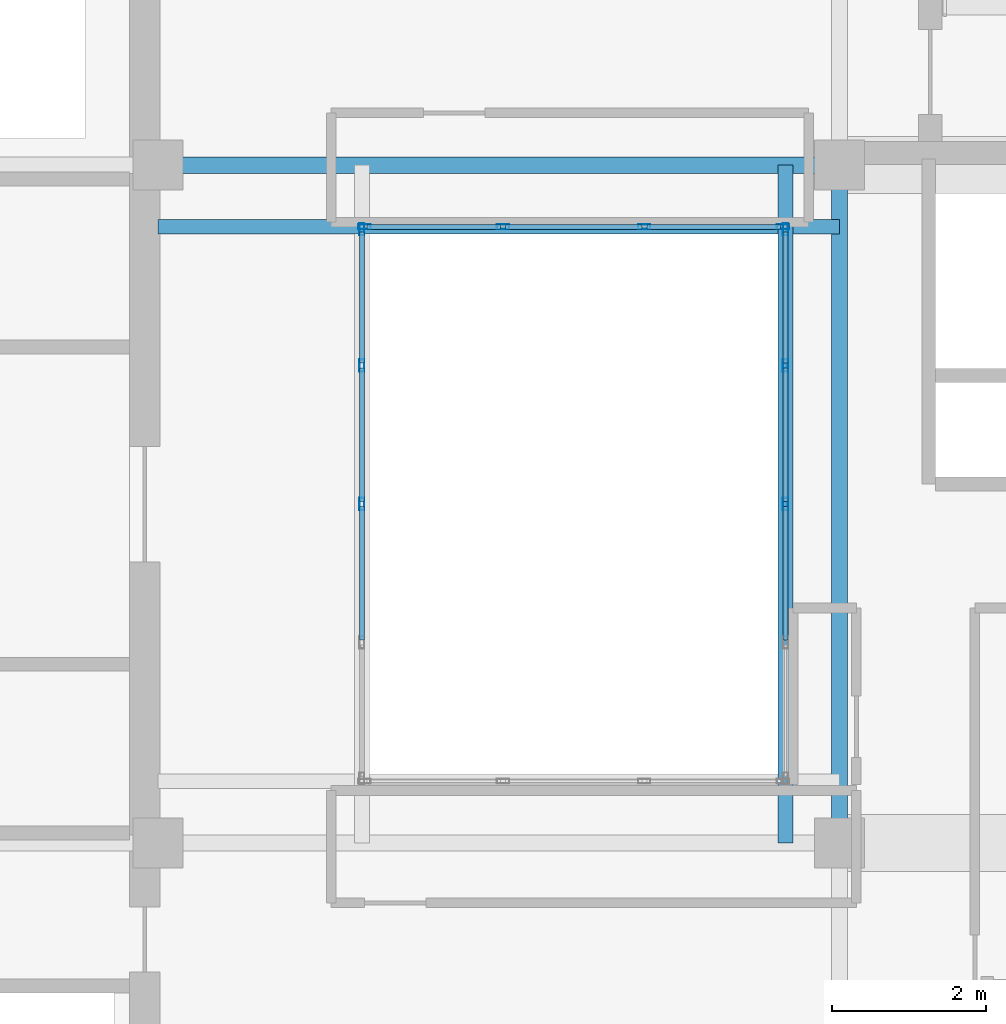
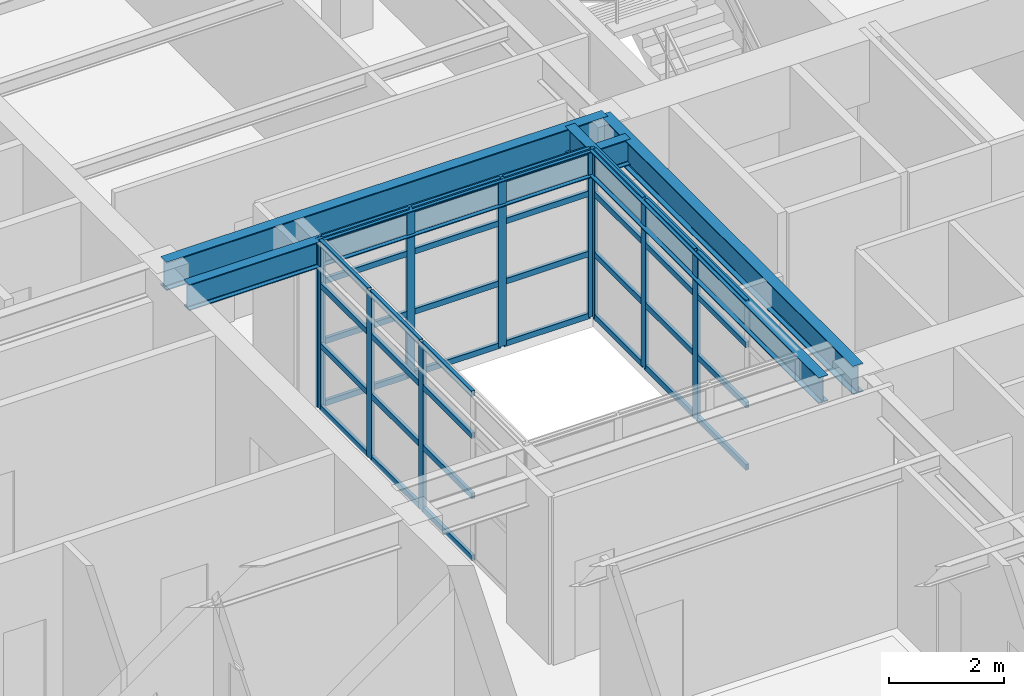
# One storey, part 4 of 11: 46 members, 4 beams, 3 elements without a shape of their own.
"""IFC4 building model written with IfcOpenShell, lengths in metres."""

from ifc_helpers import new_model, si_unit, direction, frame, origin, origin_2d, place, context, subcontext, project, spatial, hollow_rectangle, i_section, extrude, material, layer, layer_set, material_profile, profile_set, type_object, element, aggregate, save


model = new_model("IFC4")

# Units and contexts
model_context = context("Model", 3, precision=1e-05, world=origin(), true_north=direction((0.0, 1.0)))
body_context = subcontext(model_context, "Body", "Model", "MODEL_VIEW")
ifc_project = project(units=[si_unit("LENGTHUNIT", "METRE"), si_unit("AREAUNIT", "SQUARE_METRE"), si_unit("VOLUMEUNIT", "CUBIC_METRE"), si_unit("PLANEANGLEUNIT", "RADIAN"), si_unit("MASSUNIT", "GRAM", prefix="KILO")], contexts=[model_context])

# Site, building, storey
site_placement = place(None, origin())
site = spatial("IfcSite", under=ifc_project, at=site_placement, CompositionType="ELEMENT")
building_placement = place(site_placement, origin())
building = spatial("IfcBuilding", under=site, at=building_placement, Name="Kundavana Baori Tower", CompositionType="ELEMENT")
storey_placement = place(building_placement, frame((0.0, 0.0, 346.699951171875)))
storey = spatial("IfcBuildingStorey", under=building, at=storey_placement, Name="L86", CompositionType="ELEMENT", Elevation=346.699951171875)

# Beams
ifc_material_1 = material(Name="Structural Steel S355JR", Category="steel")
ifc_material_profile_1 = material_profile(ifc_material_1, i_section(OverallWidth=0.18994140625, OverallDepth=0.550048828125, WebThickness=0.01123046875, FlangeThickness=0.019287109375, FilletRadius=0.01806640625, at=origin_2d()), Name="ISMB 550")
ifc_profile_set_1 = profile_set([ifc_material_profile_1], Name="Structural Steel S355JR")
beam_type_1 = type_object("IfcBeamType", Name="BM-ST-550", PredefinedType="BEAM", material=ifc_profile_set_1)
beam_1_placement = place(storey_placement, frame((33.10009765625, 24.199951171875, 3.275146484375), z_axis=(0.0, 1.0, 0.0), x_axis=(-1.0, 0.0, 0.0)))
element("IfcBeam", 1, at=beam_1_placement, inside=storey, type_object=beam_type_1, Name="L86 Atrium East Edge Beam", PredefinedType="BEAM", context=body_context, shape_type="SweptSolid", body=[
    extrude(i_section(OverallWidth=0.18994140625, OverallDepth=0.550048828125, WebThickness=0.01123046875, FlangeThickness=0.019287109375, FilletRadius=0.01806640625, at=origin_2d()), origin(), (0.0, 0.0, 1.0), 8.800048828125),
])
beam_2_placement = place(storey_placement, frame((24.949951171875, 32.199951171875, 3.275146484375), z_axis=(1.0, 0.0, 0.0), x_axis=(0.0, 1.0, 0.0)))
element("IfcBeam", 2, at=beam_2_placement, inside=storey, type_object=beam_type_1, Name="L86 Atrium North Edge Beam", PredefinedType="BEAM", context=body_context, shape_type="SweptSolid", body=[
    extrude(i_section(OverallWidth=0.18994140625, OverallDepth=0.550048828125, WebThickness=0.01123046875, FlangeThickness=0.019287109375, FilletRadius=0.01806640625, at=origin_2d()), origin(), (0.0, 0.0, 1.0), 8.85009765625),
])
ifc_material_2 = material(Name="Structural Steel S355JR", Category="steel")
ifc_material_profile_2 = material_profile(ifc_material_2, i_section(OverallWidth=0.2099609375, OverallDepth=0.60009765625, WebThickness=0.011962890625, FlangeThickness=0.020751953125, FilletRadius=0.02001953125, at=origin_2d()), Name="ISMB 600")
ifc_profile_set_2 = profile_set([ifc_material_profile_2], Name="Structural Steel S355JR")
beam_type_2 = type_object("IfcBeamType", Name="BM-ST-600", PredefinedType="BEAM", material=ifc_profile_set_2)
beam_3_placement = place(storey_placement, frame((24.949951171875, 33.0, 3.25), z_axis=(1.0, 0.0, 0.0), x_axis=(0.0, 1.0, 0.0)))
element("IfcBeam", 3, at=beam_3_placement, inside=storey, type_object=beam_type_2, Name="L86 Primary Grid Girder GX-3-2", PredefinedType="BEAM", context=body_context, shape_type="SweptSolid", body=[
    extrude(i_section(OverallWidth=0.2099609375, OverallDepth=0.60009765625, WebThickness=0.011962890625, FlangeThickness=0.020751953125, FilletRadius=0.02001953125, at=origin_2d()), origin(), (0.0, 0.0, 1.0), 8.85009765625),
])
beam_4_placement = place(storey_placement, frame((33.800048828125, 24.199951171875, 3.25), z_axis=(0.0, 1.0, 0.0), x_axis=(-1.0, 0.0, 0.0)))
element("IfcBeam", 4, at=beam_4_placement, inside=storey, type_object=beam_type_2, Name="L86 Primary Grid Girder GY-3-2", PredefinedType="BEAM", context=body_context, shape_type="SweptSolid", body=[
    extrude(i_section(OverallWidth=0.2099609375, OverallDepth=0.60009765625, WebThickness=0.011962890625, FlangeThickness=0.020751953125, FilletRadius=0.02001953125, at=origin_2d()), origin(), (0.0, 0.0, 1.0), 8.800048828125),
])

# Curtain wall, members
ifc_material_3 = material(Name="Thermally Broken Anodised Aluminium Framing", Category="aluminium")
ifc_layer = layer(ifc_material_3, 0.235107421875, Name="CW-SYS-6")
ifc_layer_set = layer_set([ifc_layer], Name="Thermally Broken Anodised Aluminium Framing")
curtain_wall_type = type_object("IfcCurtainWallType", Name="CW-SYS-6", PredefinedType="NOTDEFINED", material=ifc_layer_set)
curtain_wall_1_placement = place(storey_placement, origin())
curtain_wall_1 = element("IfcCurtainWall", 5, at=curtain_wall_1_placement, inside=storey, type_object=curtain_wall_type, Name="L86 Atrium Glazed Curtain Wall E", PredefinedType="NOTDEFINED")
ifc_material_4 = material(Name="Thermally Broken Anodised Aluminium Framing", Category="aluminium")
ifc_material_profile_3 = material_profile(ifc_material_4, hollow_rectangle(XDim=0.06494140625, YDim=0.159912109375, WallThickness=0.00390625, at=origin_2d()), Name="CW-MULL-160")
ifc_profile_set_3 = profile_set([ifc_material_profile_3], Name="Thermally Broken Anodised Aluminium Framing")
member_type_1 = type_object("IfcMemberType", Name="CW-MULL-160", PredefinedType="MULLION", material=ifc_profile_set_3)
member_1_placement = place(storey_placement, frame((33.10009765625, 28.60009765625, 0.0), z_axis=(0.0, 0.0, 1.0), x_axis=(-1.0, 0.0, 0.0)))
member_1 = element("IfcMember", 6, at=member_1_placement, type_object=member_type_1, Name="CW6 mullion 3", PredefinedType="MULLION", context=body_context, shape_type="SweptSolid", body=[
    extrude(hollow_rectangle(XDim=0.06494140625, YDim=0.159912109375, WallThickness=0.00390625, at=origin_2d()), origin(), (0.0, 0.0, 1.0), 3.550048828125),
])
member_2_placement = place(storey_placement, frame((33.10009765625, 30.39990234375, 0.0), z_axis=(0.0, 0.0, 1.0), x_axis=(-1.0, 0.0, 0.0)))
member_2 = element("IfcMember", 7, at=member_2_placement, type_object=member_type_1, Name="CW6 mullion 4", PredefinedType="MULLION", context=body_context, shape_type="SweptSolid", body=[
    extrude(hollow_rectangle(XDim=0.06494140625, YDim=0.159912109375, WallThickness=0.00390625, at=origin_2d()), origin(), (0.0, 0.0, 1.0), 3.550048828125),
])
member_3_placement = place(storey_placement, frame((33.10009765625, 32.16748046875, 0.0), z_axis=(0.0, 0.0, 1.0), x_axis=(-1.0, 0.0, 0.0)))
member_3 = element("IfcMember", 8, at=member_3_placement, type_object=member_type_1, Name="CW6 mullion 5", PredefinedType="MULLION", context=body_context, shape_type="SweptSolid", body=[
    extrude(hollow_rectangle(XDim=0.06494140625, YDim=0.159912109375, WallThickness=0.00390625, at=origin_2d()), origin(), (0.0, 0.0, 1.0), 3.550048828125),
])

curtain_wall_2_placement = place(storey_placement, origin())
curtain_wall_2 = element("IfcCurtainWall", 9, at=curtain_wall_2_placement, inside=storey, type_object=curtain_wall_type, Name="L86 Atrium Glazed Curtain Wall N", PredefinedType="NOTDEFINED")
member_4_placement = place(storey_placement, frame((33.0673828125, 32.199951171875, 0.0), z_axis=(0.0, 0.0, 1.0), x_axis=(0.0, -1.0, 0.0)))
member_4 = element("IfcMember", 10, at=member_4_placement, type_object=member_type_1, Name="CW6 mullion 1", PredefinedType="MULLION", context=body_context, shape_type="SweptSolid", body=[
    extrude(hollow_rectangle(XDim=0.06494140625, YDim=0.159912109375, WallThickness=0.00390625, at=origin_2d()), origin(), (0.0, 0.0, 1.0), 3.550048828125),
])
member_5_placement = place(storey_placement, frame((31.2666015625, 32.199951171875, 0.0), z_axis=(0.0, 0.0, 1.0), x_axis=(0.0, -1.0, 0.0)))
member_5 = element("IfcMember", 11, at=member_5_placement, type_object=member_type_1, Name="CW6 mullion 2", PredefinedType="MULLION", context=body_context, shape_type="SweptSolid", body=[
    extrude(hollow_rectangle(XDim=0.06494140625, YDim=0.159912109375, WallThickness=0.00390625, at=origin_2d()), origin(), (0.0, 0.0, 1.0), 3.550048828125),
])
member_6_placement = place(storey_placement, frame((29.433349609375, 32.199951171875, 0.0), z_axis=(0.0, 0.0, 1.0), x_axis=(0.0, -1.0, 0.0)))
member_6 = element("IfcMember", 12, at=member_6_placement, type_object=member_type_1, Name="CW6 mullion 3", PredefinedType="MULLION", context=body_context, shape_type="SweptSolid", body=[
    extrude(hollow_rectangle(XDim=0.06494140625, YDim=0.159912109375, WallThickness=0.00390625, at=origin_2d()), origin(), (0.0, 0.0, 1.0), 3.550048828125),
])
member_7_placement = place(storey_placement, frame((27.632568359375, 32.199951171875, 0.0), z_axis=(0.0, 0.0, 1.0), x_axis=(0.0, -1.0, 0.0)))
member_7 = element("IfcMember", 13, at=member_7_placement, type_object=member_type_1, Name="CW6 mullion 4", PredefinedType="MULLION", context=body_context, shape_type="SweptSolid", body=[
    extrude(hollow_rectangle(XDim=0.06494140625, YDim=0.159912109375, WallThickness=0.00390625, at=origin_2d()), origin(), (0.0, 0.0, 1.0), 3.550048828125),
])

curtain_wall_3_placement = place(storey_placement, origin())
curtain_wall_3 = element("IfcCurtainWall", 14, at=curtain_wall_3_placement, inside=storey, type_object=curtain_wall_type, Name="L86 Atrium Glazed Curtain Wall W", PredefinedType="NOTDEFINED")
member_8_placement = place(storey_placement, frame((27.60009765625, 32.16748046875, 0.0), z_axis=(0.0, 0.0, 1.0), x_axis=(1.0, 0.0, 0.0)))
member_8 = element("IfcMember", 15, at=member_8_placement, type_object=member_type_1, Name="CW6 mullion 1", PredefinedType="MULLION", context=body_context, shape_type="SweptSolid", body=[
    extrude(hollow_rectangle(XDim=0.06494140625, YDim=0.159912109375, WallThickness=0.00390625, at=origin_2d()), origin(), (0.0, 0.0, 1.0), 3.550048828125),
])
member_9_placement = place(storey_placement, frame((27.60009765625, 30.39990234375, 0.0), z_axis=(0.0, 0.0, 1.0), x_axis=(1.0, 0.0, 0.0)))
member_9 = element("IfcMember", 16, at=member_9_placement, type_object=member_type_1, Name="CW6 mullion 2", PredefinedType="MULLION", context=body_context, shape_type="SweptSolid", body=[
    extrude(hollow_rectangle(XDim=0.06494140625, YDim=0.159912109375, WallThickness=0.00390625, at=origin_2d()), origin(), (0.0, 0.0, 1.0), 3.550048828125),
])
member_10_placement = place(storey_placement, frame((27.60009765625, 28.60009765625, 0.0), z_axis=(0.0, 0.0, 1.0), x_axis=(1.0, 0.0, 0.0)))
member_10 = element("IfcMember", 17, at=member_10_placement, type_object=member_type_1, Name="CW6 mullion 3", PredefinedType="MULLION", context=body_context, shape_type="SweptSolid", body=[
    extrude(hollow_rectangle(XDim=0.06494140625, YDim=0.159912109375, WallThickness=0.00390625, at=origin_2d()), origin(), (0.0, 0.0, 1.0), 3.550048828125),
])

# Member
ifc_material_5 = material(Name="Thermally Broken Anodised Aluminium Framing", Category="aluminium")
ifc_material_profile_4 = material_profile(ifc_material_5, hollow_rectangle(XDim=0.06494140625, YDim=0.1201171875, WallThickness=0.00390625, at=origin_2d()), Name="CW-TRAN-120")
ifc_profile_set_4 = profile_set([ifc_material_profile_4], Name="Thermally Broken Anodised Aluminium Framing")
member_type_2 = type_object("IfcMemberType", Name="CW-TRAN-120", PredefinedType="USERDEFINED", material=ifc_profile_set_4)
member_11_placement = place(storey_placement, frame((33.10009765625, 26.83251953125, 0.032470703125), z_axis=(0.0, 1.0, 0.0), x_axis=(-1.0, 0.0, 0.0)))
member_11 = element("IfcMember", 18, at=member_11_placement, type_object=member_type_2, Name="CW6 transom 2.1", ObjectType="TRANSOM", PredefinedType="USERDEFINED", context=body_context, shape_type="SweptSolid", body=[
    extrude(hollow_rectangle(XDim=0.06494140625, YDim=0.1201171875, WallThickness=0.00390625, at=origin_2d()), origin(), (0.0, 0.0, 1.0), 1.73486328125),
])

member_12_placement = place(storey_placement, frame((33.10009765625, 26.83251953125, 1.34912109375), z_axis=(0.0, 1.0, 0.0), x_axis=(-1.0, 0.0, 0.0)))
member_12 = element("IfcMember", 19, at=member_12_placement, type_object=member_type_2, Name="CW6 transom 2.2", ObjectType="TRANSOM", PredefinedType="USERDEFINED", context=body_context, shape_type="SweptSolid", body=[
    extrude(hollow_rectangle(XDim=0.06494140625, YDim=0.1201171875, WallThickness=0.00390625, at=origin_2d()), origin(), (0.0, 0.0, 1.0), 1.73486328125),
])

member_13_placement = place(storey_placement, frame((33.10009765625, 26.83251953125, 2.626953125), z_axis=(0.0, 1.0, 0.0), x_axis=(-1.0, 0.0, 0.0)))
member_13 = element("IfcMember", 20, at=member_13_placement, type_object=member_type_2, Name="CW6 transom 2.3", ObjectType="TRANSOM", PredefinedType="USERDEFINED", context=body_context, shape_type="SweptSolid", body=[
    extrude(hollow_rectangle(XDim=0.06494140625, YDim=0.1201171875, WallThickness=0.00390625, at=origin_2d()), origin(), (0.0, 0.0, 1.0), 1.73486328125),
])

member_14_placement = place(storey_placement, frame((33.10009765625, 26.83251953125, 3.517578125), z_axis=(0.0, 1.0, 0.0), x_axis=(-1.0, 0.0, 0.0)))
member_14 = element("IfcMember", 21, at=member_14_placement, type_object=member_type_2, Name="CW6 transom 2.4", ObjectType="TRANSOM", PredefinedType="USERDEFINED", context=body_context, shape_type="SweptSolid", body=[
    extrude(hollow_rectangle(XDim=0.06494140625, YDim=0.1201171875, WallThickness=0.00390625, at=origin_2d()), origin(), (0.0, 0.0, 1.0), 1.73486328125),
])

member_15_placement = place(storey_placement, frame((33.10009765625, 28.632568359375, 0.032470703125), z_axis=(0.0, 1.0, 0.0), x_axis=(-1.0, 0.0, 0.0)))
member_15 = element("IfcMember", 22, at=member_15_placement, type_object=member_type_2, Name="CW6 transom 3.1", ObjectType="TRANSOM", PredefinedType="USERDEFINED", context=body_context, shape_type="SweptSolid", body=[
    extrude(hollow_rectangle(XDim=0.06494140625, YDim=0.1201171875, WallThickness=0.00390625, at=origin_2d()), origin(), (0.0, 0.0, 1.0), 1.73486328125),
])

member_16_placement = place(storey_placement, frame((33.10009765625, 28.632568359375, 1.34912109375), z_axis=(0.0, 1.0, 0.0), x_axis=(-1.0, 0.0, 0.0)))
member_16 = element("IfcMember", 23, at=member_16_placement, type_object=member_type_2, Name="CW6 transom 3.2", ObjectType="TRANSOM", PredefinedType="USERDEFINED", context=body_context, shape_type="SweptSolid", body=[
    extrude(hollow_rectangle(XDim=0.06494140625, YDim=0.1201171875, WallThickness=0.00390625, at=origin_2d()), origin(), (0.0, 0.0, 1.0), 1.73486328125),
])

member_17_placement = place(storey_placement, frame((33.10009765625, 28.632568359375, 2.626953125), z_axis=(0.0, 1.0, 0.0), x_axis=(-1.0, 0.0, 0.0)))
member_17 = element("IfcMember", 24, at=member_17_placement, type_object=member_type_2, Name="CW6 transom 3.3", ObjectType="TRANSOM", PredefinedType="USERDEFINED", context=body_context, shape_type="SweptSolid", body=[
    extrude(hollow_rectangle(XDim=0.06494140625, YDim=0.1201171875, WallThickness=0.00390625, at=origin_2d()), origin(), (0.0, 0.0, 1.0), 1.73486328125),
])

member_18_placement = place(storey_placement, frame((33.10009765625, 28.632568359375, 3.517578125), z_axis=(0.0, 1.0, 0.0), x_axis=(-1.0, 0.0, 0.0)))
member_18 = element("IfcMember", 25, at=member_18_placement, type_object=member_type_2, Name="CW6 transom 3.4", ObjectType="TRANSOM", PredefinedType="USERDEFINED", context=body_context, shape_type="SweptSolid", body=[
    extrude(hollow_rectangle(XDim=0.06494140625, YDim=0.1201171875, WallThickness=0.00390625, at=origin_2d()), origin(), (0.0, 0.0, 1.0), 1.73486328125),
])

member_19_placement = place(storey_placement, frame((33.10009765625, 30.4326171875, 0.032470703125), z_axis=(0.0, 1.0, 0.0), x_axis=(-1.0, 0.0, 0.0)))
member_19 = element("IfcMember", 26, at=member_19_placement, type_object=member_type_2, Name="CW6 transom 4.1", ObjectType="TRANSOM", PredefinedType="USERDEFINED", context=body_context, shape_type="SweptSolid", body=[
    extrude(hollow_rectangle(XDim=0.06494140625, YDim=0.1201171875, WallThickness=0.00390625, at=origin_2d()), origin(), (0.0, 0.0, 1.0), 1.702392578125),
])

member_20_placement = place(storey_placement, frame((33.10009765625, 30.4326171875, 1.34912109375), z_axis=(0.0, 1.0, 0.0), x_axis=(-1.0, 0.0, 0.0)))
member_20 = element("IfcMember", 27, at=member_20_placement, type_object=member_type_2, Name="CW6 transom 4.2", ObjectType="TRANSOM", PredefinedType="USERDEFINED", context=body_context, shape_type="SweptSolid", body=[
    extrude(hollow_rectangle(XDim=0.06494140625, YDim=0.1201171875, WallThickness=0.00390625, at=origin_2d()), origin(), (0.0, 0.0, 1.0), 1.702392578125),
])

member_21_placement = place(storey_placement, frame((33.10009765625, 30.4326171875, 2.626953125), z_axis=(0.0, 1.0, 0.0), x_axis=(-1.0, 0.0, 0.0)))
member_21 = element("IfcMember", 28, at=member_21_placement, type_object=member_type_2, Name="CW6 transom 4.3", ObjectType="TRANSOM", PredefinedType="USERDEFINED", context=body_context, shape_type="SweptSolid", body=[
    extrude(hollow_rectangle(XDim=0.06494140625, YDim=0.1201171875, WallThickness=0.00390625, at=origin_2d()), origin(), (0.0, 0.0, 1.0), 1.702392578125),
])

member_22_placement = place(storey_placement, frame((33.10009765625, 30.4326171875, 3.517578125), z_axis=(0.0, 1.0, 0.0), x_axis=(-1.0, 0.0, 0.0)))
member_22 = element("IfcMember", 29, at=member_22_placement, type_object=member_type_2, Name="CW6 transom 4.4", ObjectType="TRANSOM", PredefinedType="USERDEFINED", context=body_context, shape_type="SweptSolid", body=[
    extrude(hollow_rectangle(XDim=0.06494140625, YDim=0.1201171875, WallThickness=0.00390625, at=origin_2d()), origin(), (0.0, 0.0, 1.0), 1.702392578125),
])

aggregate(curtain_wall_1, [member_1, member_2, member_3, member_11, member_12, member_13, member_14, member_15, member_16, member_17, member_18, member_19, member_20, member_21, member_22])

member_23_placement = place(storey_placement, frame((33.034912109375, 32.199951171875, 0.032470703125), z_axis=(-1.0, 0.0, 0.0), x_axis=(0.0, -1.0, 0.0)))
member_23 = element("IfcMember", 30, at=member_23_placement, type_object=member_type_2, Name="CW6 transom 1.1", ObjectType="TRANSOM", PredefinedType="USERDEFINED", context=body_context, shape_type="SweptSolid", body=[
    extrude(hollow_rectangle(XDim=0.06494140625, YDim=0.1201171875, WallThickness=0.00390625, at=origin_2d()), origin(), (0.0, 0.0, 1.0), 1.73583984375),
])

member_24_placement = place(storey_placement, frame((33.034912109375, 32.199951171875, 1.34912109375), z_axis=(-1.0, 0.0, 0.0), x_axis=(0.0, -1.0, 0.0)))
member_24 = element("IfcMember", 31, at=member_24_placement, type_object=member_type_2, Name="CW6 transom 1.2", ObjectType="TRANSOM", PredefinedType="USERDEFINED", context=body_context, shape_type="SweptSolid", body=[
    extrude(hollow_rectangle(XDim=0.06494140625, YDim=0.1201171875, WallThickness=0.00390625, at=origin_2d()), origin(), (0.0, 0.0, 1.0), 1.73583984375),
])

member_25_placement = place(storey_placement, frame((33.034912109375, 32.199951171875, 2.626953125), z_axis=(-1.0, 0.0, 0.0), x_axis=(0.0, -1.0, 0.0)))
member_25 = element("IfcMember", 32, at=member_25_placement, type_object=member_type_2, Name="CW6 transom 1.3", ObjectType="TRANSOM", PredefinedType="USERDEFINED", context=body_context, shape_type="SweptSolid", body=[
    extrude(hollow_rectangle(XDim=0.06494140625, YDim=0.1201171875, WallThickness=0.00390625, at=origin_2d()), origin(), (0.0, 0.0, 1.0), 1.73583984375),
])

member_26_placement = place(storey_placement, frame((33.034912109375, 32.199951171875, 3.517578125), z_axis=(-1.0, 0.0, 0.0), x_axis=(0.0, -1.0, 0.0)))
member_26 = element("IfcMember", 33, at=member_26_placement, type_object=member_type_2, Name="CW6 transom 1.4", ObjectType="TRANSOM", PredefinedType="USERDEFINED", context=body_context, shape_type="SweptSolid", body=[
    extrude(hollow_rectangle(XDim=0.06494140625, YDim=0.1201171875, WallThickness=0.00390625, at=origin_2d()), origin(), (0.0, 0.0, 1.0), 1.73583984375),
])

member_27_placement = place(storey_placement, frame((31.234130859375, 32.199951171875, 0.032470703125), z_axis=(-1.0, 0.0, 0.0), x_axis=(0.0, -1.0, 0.0)))
member_27 = element("IfcMember", 34, at=member_27_placement, type_object=member_type_2, Name="CW6 transom 2.1", ObjectType="TRANSOM", PredefinedType="USERDEFINED", context=body_context, shape_type="SweptSolid", body=[
    extrude(hollow_rectangle(XDim=0.06494140625, YDim=0.1201171875, WallThickness=0.00390625, at=origin_2d()), origin(), (0.0, 0.0, 1.0), 1.768310546875),
])

member_28_placement = place(storey_placement, frame((31.234130859375, 32.199951171875, 1.34912109375), z_axis=(-1.0, 0.0, 0.0), x_axis=(0.0, -1.0, 0.0)))
member_28 = element("IfcMember", 35, at=member_28_placement, type_object=member_type_2, Name="CW6 transom 2.2", ObjectType="TRANSOM", PredefinedType="USERDEFINED", context=body_context, shape_type="SweptSolid", body=[
    extrude(hollow_rectangle(XDim=0.06494140625, YDim=0.1201171875, WallThickness=0.00390625, at=origin_2d()), origin(), (0.0, 0.0, 1.0), 1.768310546875),
])

member_29_placement = place(storey_placement, frame((31.234130859375, 32.199951171875, 2.626953125), z_axis=(-1.0, 0.0, 0.0), x_axis=(0.0, -1.0, 0.0)))
member_29 = element("IfcMember", 36, at=member_29_placement, type_object=member_type_2, Name="CW6 transom 2.3", ObjectType="TRANSOM", PredefinedType="USERDEFINED", context=body_context, shape_type="SweptSolid", body=[
    extrude(hollow_rectangle(XDim=0.06494140625, YDim=0.1201171875, WallThickness=0.00390625, at=origin_2d()), origin(), (0.0, 0.0, 1.0), 1.768310546875),
])

member_30_placement = place(storey_placement, frame((31.234130859375, 32.199951171875, 3.517578125), z_axis=(-1.0, 0.0, 0.0), x_axis=(0.0, -1.0, 0.0)))
member_30 = element("IfcMember", 37, at=member_30_placement, type_object=member_type_2, Name="CW6 transom 2.4", ObjectType="TRANSOM", PredefinedType="USERDEFINED", context=body_context, shape_type="SweptSolid", body=[
    extrude(hollow_rectangle(XDim=0.06494140625, YDim=0.1201171875, WallThickness=0.00390625, at=origin_2d()), origin(), (0.0, 0.0, 1.0), 1.768310546875),
])

member_31_placement = place(storey_placement, frame((29.40087890625, 32.199951171875, 0.032470703125), z_axis=(-1.0, 0.0, 0.0), x_axis=(0.0, -1.0, 0.0)))
member_31 = element("IfcMember", 38, at=member_31_placement, type_object=member_type_2, Name="CW6 transom 3.1", ObjectType="TRANSOM", PredefinedType="USERDEFINED", context=body_context, shape_type="SweptSolid", body=[
    extrude(hollow_rectangle(XDim=0.06494140625, YDim=0.1201171875, WallThickness=0.00390625, at=origin_2d()), origin(), (0.0, 0.0, 1.0), 1.73583984375),
])

member_32_placement = place(storey_placement, frame((29.40087890625, 32.199951171875, 1.34912109375), z_axis=(-1.0, 0.0, 0.0), x_axis=(0.0, -1.0, 0.0)))
member_32 = element("IfcMember", 39, at=member_32_placement, type_object=member_type_2, Name="CW6 transom 3.2", ObjectType="TRANSOM", PredefinedType="USERDEFINED", context=body_context, shape_type="SweptSolid", body=[
    extrude(hollow_rectangle(XDim=0.06494140625, YDim=0.1201171875, WallThickness=0.00390625, at=origin_2d()), origin(), (0.0, 0.0, 1.0), 1.73583984375),
])

member_33_placement = place(storey_placement, frame((29.40087890625, 32.199951171875, 2.626953125), z_axis=(-1.0, 0.0, 0.0), x_axis=(0.0, -1.0, 0.0)))
member_33 = element("IfcMember", 40, at=member_33_placement, type_object=member_type_2, Name="CW6 transom 3.3", ObjectType="TRANSOM", PredefinedType="USERDEFINED", context=body_context, shape_type="SweptSolid", body=[
    extrude(hollow_rectangle(XDim=0.06494140625, YDim=0.1201171875, WallThickness=0.00390625, at=origin_2d()), origin(), (0.0, 0.0, 1.0), 1.73583984375),
])

member_34_placement = place(storey_placement, frame((29.40087890625, 32.199951171875, 3.517578125), z_axis=(-1.0, 0.0, 0.0), x_axis=(0.0, -1.0, 0.0)))
member_34 = element("IfcMember", 41, at=member_34_placement, type_object=member_type_2, Name="CW6 transom 3.4", ObjectType="TRANSOM", PredefinedType="USERDEFINED", context=body_context, shape_type="SweptSolid", body=[
    extrude(hollow_rectangle(XDim=0.06494140625, YDim=0.1201171875, WallThickness=0.00390625, at=origin_2d()), origin(), (0.0, 0.0, 1.0), 1.73583984375),
])

aggregate(curtain_wall_2, [member_4, member_5, member_6, member_7, member_23, member_24, member_25, member_26, member_27, member_28, member_29, member_30, member_31, member_32, member_33, member_34])

member_35_placement = place(storey_placement, frame((27.60009765625, 32.135009765625, 0.032470703125), z_axis=(0.0, -1.0, 0.0), x_axis=(1.0, 0.0, 0.0)))
member_35 = element("IfcMember", 42, at=member_35_placement, type_object=member_type_2, Name="CW6 transom 1.1", ObjectType="TRANSOM", PredefinedType="USERDEFINED", context=body_context, shape_type="SweptSolid", body=[
    extrude(hollow_rectangle(XDim=0.06494140625, YDim=0.1201171875, WallThickness=0.00390625, at=origin_2d()), origin(), (0.0, 0.0, 1.0), 1.702392578125),
])

member_36_placement = place(storey_placement, frame((27.60009765625, 32.135009765625, 1.34912109375), z_axis=(0.0, -1.0, 0.0), x_axis=(1.0, 0.0, 0.0)))
member_36 = element("IfcMember", 43, at=member_36_placement, type_object=member_type_2, Name="CW6 transom 1.2", ObjectType="TRANSOM", PredefinedType="USERDEFINED", context=body_context, shape_type="SweptSolid", body=[
    extrude(hollow_rectangle(XDim=0.06494140625, YDim=0.1201171875, WallThickness=0.00390625, at=origin_2d()), origin(), (0.0, 0.0, 1.0), 1.702392578125),
])

member_37_placement = place(storey_placement, frame((27.60009765625, 32.135009765625, 2.626953125), z_axis=(0.0, -1.0, 0.0), x_axis=(1.0, 0.0, 0.0)))
member_37 = element("IfcMember", 44, at=member_37_placement, type_object=member_type_2, Name="CW6 transom 1.3", ObjectType="TRANSOM", PredefinedType="USERDEFINED", context=body_context, shape_type="SweptSolid", body=[
    extrude(hollow_rectangle(XDim=0.06494140625, YDim=0.1201171875, WallThickness=0.00390625, at=origin_2d()), origin(), (0.0, 0.0, 1.0), 1.702392578125),
])

member_38_placement = place(storey_placement, frame((27.60009765625, 32.135009765625, 3.517578125), z_axis=(0.0, -1.0, 0.0), x_axis=(1.0, 0.0, 0.0)))
member_38 = element("IfcMember", 45, at=member_38_placement, type_object=member_type_2, Name="CW6 transom 1.4", ObjectType="TRANSOM", PredefinedType="USERDEFINED", context=body_context, shape_type="SweptSolid", body=[
    extrude(hollow_rectangle(XDim=0.06494140625, YDim=0.1201171875, WallThickness=0.00390625, at=origin_2d()), origin(), (0.0, 0.0, 1.0), 1.702392578125),
])

member_39_placement = place(storey_placement, frame((27.60009765625, 30.367431640625, 0.032470703125), z_axis=(0.0, -1.0, 0.0), x_axis=(1.0, 0.0, 0.0)))
member_39 = element("IfcMember", 46, at=member_39_placement, type_object=member_type_2, Name="CW6 transom 2.1", ObjectType="TRANSOM", PredefinedType="USERDEFINED", context=body_context, shape_type="SweptSolid", body=[
    extrude(hollow_rectangle(XDim=0.06494140625, YDim=0.1201171875, WallThickness=0.00390625, at=origin_2d()), origin(), (0.0, 0.0, 1.0), 1.73486328125),
])

member_40_placement = place(storey_placement, frame((27.60009765625, 30.367431640625, 1.34912109375), z_axis=(0.0, -1.0, 0.0), x_axis=(1.0, 0.0, 0.0)))
member_40 = element("IfcMember", 47, at=member_40_placement, type_object=member_type_2, Name="CW6 transom 2.2", ObjectType="TRANSOM", PredefinedType="USERDEFINED", context=body_context, shape_type="SweptSolid", body=[
    extrude(hollow_rectangle(XDim=0.06494140625, YDim=0.1201171875, WallThickness=0.00390625, at=origin_2d()), origin(), (0.0, 0.0, 1.0), 1.73486328125),
])

member_41_placement = place(storey_placement, frame((27.60009765625, 30.367431640625, 2.626953125), z_axis=(0.0, -1.0, 0.0), x_axis=(1.0, 0.0, 0.0)))
member_41 = element("IfcMember", 48, at=member_41_placement, type_object=member_type_2, Name="CW6 transom 2.3", ObjectType="TRANSOM", PredefinedType="USERDEFINED", context=body_context, shape_type="SweptSolid", body=[
    extrude(hollow_rectangle(XDim=0.06494140625, YDim=0.1201171875, WallThickness=0.00390625, at=origin_2d()), origin(), (0.0, 0.0, 1.0), 1.73486328125),
])

member_42_placement = place(storey_placement, frame((27.60009765625, 30.367431640625, 3.517578125), z_axis=(0.0, -1.0, 0.0), x_axis=(1.0, 0.0, 0.0)))
member_42 = element("IfcMember", 49, at=member_42_placement, type_object=member_type_2, Name="CW6 transom 2.4", ObjectType="TRANSOM", PredefinedType="USERDEFINED", context=body_context, shape_type="SweptSolid", body=[
    extrude(hollow_rectangle(XDim=0.06494140625, YDim=0.1201171875, WallThickness=0.00390625, at=origin_2d()), origin(), (0.0, 0.0, 1.0), 1.73486328125),
])

member_43_placement = place(storey_placement, frame((27.60009765625, 28.5673828125, 0.032470703125), z_axis=(0.0, -1.0, 0.0), x_axis=(1.0, 0.0, 0.0)))
member_43 = element("IfcMember", 50, at=member_43_placement, type_object=member_type_2, Name="CW6 transom 3.1", ObjectType="TRANSOM", PredefinedType="USERDEFINED", context=body_context, shape_type="SweptSolid", body=[
    extrude(hollow_rectangle(XDim=0.06494140625, YDim=0.1201171875, WallThickness=0.00390625, at=origin_2d()), origin(), (0.0, 0.0, 1.0), 1.73486328125),
])

member_44_placement = place(storey_placement, frame((27.60009765625, 28.5673828125, 1.34912109375), z_axis=(0.0, -1.0, 0.0), x_axis=(1.0, 0.0, 0.0)))
member_44 = element("IfcMember", 51, at=member_44_placement, type_object=member_type_2, Name="CW6 transom 3.2", ObjectType="TRANSOM", PredefinedType="USERDEFINED", context=body_context, shape_type="SweptSolid", body=[
    extrude(hollow_rectangle(XDim=0.06494140625, YDim=0.1201171875, WallThickness=0.00390625, at=origin_2d()), origin(), (0.0, 0.0, 1.0), 1.73486328125),
])

member_45_placement = place(storey_placement, frame((27.60009765625, 28.5673828125, 2.626953125), z_axis=(0.0, -1.0, 0.0), x_axis=(1.0, 0.0, 0.0)))
member_45 = element("IfcMember", 52, at=member_45_placement, type_object=member_type_2, Name="CW6 transom 3.3", ObjectType="TRANSOM", PredefinedType="USERDEFINED", context=body_context, shape_type="SweptSolid", body=[
    extrude(hollow_rectangle(XDim=0.06494140625, YDim=0.1201171875, WallThickness=0.00390625, at=origin_2d()), origin(), (0.0, 0.0, 1.0), 1.73486328125),
])

member_46_placement = place(storey_placement, frame((27.60009765625, 28.5673828125, 3.517578125), z_axis=(0.0, -1.0, 0.0), x_axis=(1.0, 0.0, 0.0)))
member_46 = element("IfcMember", 53, at=member_46_placement, type_object=member_type_2, Name="CW6 transom 3.4", ObjectType="TRANSOM", PredefinedType="USERDEFINED", context=body_context, shape_type="SweptSolid", body=[
    extrude(hollow_rectangle(XDim=0.06494140625, YDim=0.1201171875, WallThickness=0.00390625, at=origin_2d()), origin(), (0.0, 0.0, 1.0), 1.73486328125),
])

aggregate(curtain_wall_3, [member_8, member_9, member_10, member_35, member_36, member_37, member_38, member_39, member_40, member_41, member_42, member_43, member_44, member_45, member_46])

save(model, "model.ifc")
